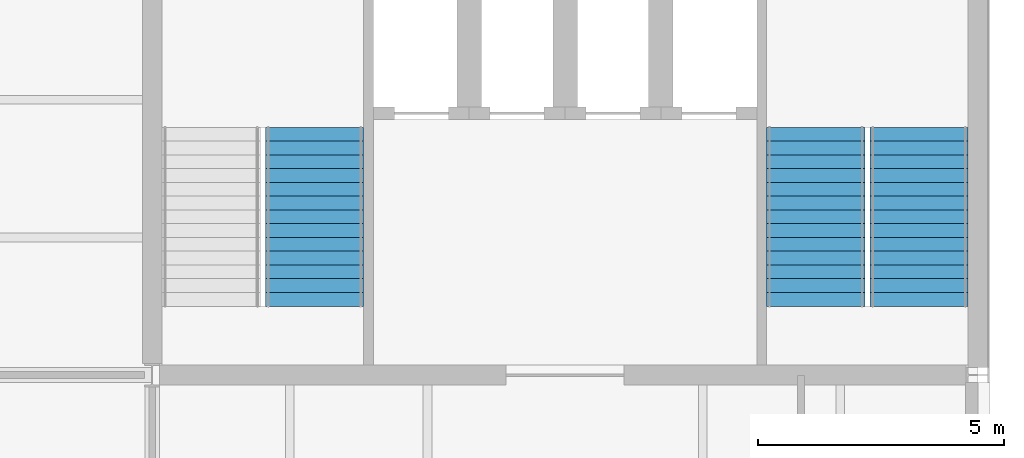
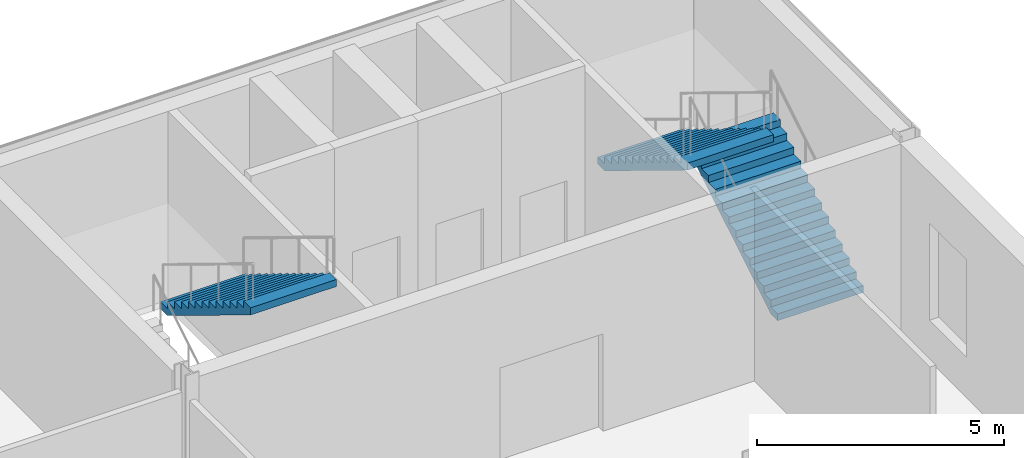
# One storey, part 36 of 57: 3 stair flights, 2 elements without a shape of their own.
"""IFC4 building model written with IfcOpenShell, lengths in metres."""

from ifc_helpers import new_model, si_unit, direction, frame, origin, place, context, subcontext, project, spatial, polyline, outline, extrude, material, type_object, element, aggregate, save


model = new_model("IFC4")

# Units and contexts
model_context = context("Model", 3, precision=1e-05, world=origin(), true_north=direction((0.0, 1.0)))
body_context = subcontext(model_context, "Body", "Model", "MODEL_VIEW")
ifc_project = project(units=[si_unit("LENGTHUNIT", "METRE"), si_unit("AREAUNIT", "SQUARE_METRE"), si_unit("VOLUMEUNIT", "CUBIC_METRE"), si_unit("PLANEANGLEUNIT", "RADIAN"), si_unit("MASSUNIT", "GRAM", prefix="KILO")], contexts=[model_context])

# Site, building, storey
site_placement = place(None, origin())
site = spatial("IfcSite", under=ifc_project, at=site_placement, CompositionType="ELEMENT")
building_placement = place(site_placement, origin())
building = spatial("IfcBuilding", under=site, at=building_placement, Name="Galleria Vessillo Department Store", CompositionType="ELEMENT")
storey_placement = place(building_placement, frame((0.0, 0.0, 21.0)))
storey = spatial("IfcBuildingStorey", under=building, at=storey_placement, Name="L04", CompositionType="ELEMENT", Elevation=21.0)

# Stair, stair flight
ifc_material_1 = material(Name="Concrete C32/40", Category="concrete")
stair_type = type_object("IfcStairType", Name="Half-turn escape stair 2000 mm, 28 risers of 171 mm", PredefinedType="HALF_TURN_STAIR", material=ifc_material_1)
stair_1_placement = place(storey_placement, origin())
stair_1 = element("IfcStair", 1, at=stair_1_placement, inside=storey, type_object=stair_type, Name="Stair ST8 L04", PredefinedType="HALF_TURN_STAIR")
ifc_material_2 = material(Name="Concrete C32/40", Category="concrete")
stair_flight_type = type_object("IfcStairFlightType", Name="Stair flight 2000 mm, 14 risers of 171 mm", PredefinedType="STRAIGHT", material=ifc_material_2)
stair_flight_1_placement = place(storey_placement, frame((104.10009765625, 59.639404296875, 2.39990234375), z_axis=(0.0, 0.0, 1.0), x_axis=(0.0, -1.0, 0.0)))
stair_flight_1 = element("IfcStairFlight", 2, at=stair_flight_1_placement, type_object=stair_flight_type, Name="ST8 flight 2", NumberOfRisers=14, NumberOfTreads=13, PredefinedType="STRAIGHT", RiserHeight=0.171428571, TreadLength=0.28, context=body_context, shape_type="SweptSolid", body=[
    extrude(outline(polyline([(0.0, 0.0), (0.0, 0.17138671875), (0.280029296875, 0.17138671875), (0.280029296875, 0.3427734375), (0.56005859375, 0.3427734375), (0.56005859375, 0.514404296875), (0.840087890625, 0.514404296875), (0.840087890625, 0.685791015625), (1.1201171875, 0.685791015625), (1.1201171875, 0.857177734375), (1.39990234375, 0.857177734375), (1.39990234375, 1.028564453125), (1.679931640625, 1.028564453125), (1.679931640625, 1.199951171875), (1.9599609375, 1.199951171875), (1.9599609375, 1.371337890625), (2.239990234375, 1.371337890625), (2.239990234375, 1.54296875), (2.52001953125, 1.54296875), (2.52001953125, 1.71435546875), (2.800048828125, 1.71435546875), (2.800048828125, 1.8857421875), (3.080078125, 1.8857421875), (3.080078125, 2.05712890625), (3.360107421875, 2.05712890625), (3.360107421875, 2.228515625), (3.639892578125, 2.228515625), (3.639892578125, 2.39990234375), (3.639892578125, 2.052734375), (0.287109375, 0.0), (0.0, 0.0)])), frame((0.0, 1.0, 0.0), z_axis=(0.0, -1.0, 0.0), x_axis=(1.0, 0.0, 0.0)), (0.0, 0.0, 1.0), 2.0),
])
aggregate(stair_1, [stair_flight_1])

# Stair, stair flights
stair_2_placement = place(storey_placement, origin())
stair_2 = element("IfcStair", 3, at=stair_2_placement, inside=storey, type_object=stair_type, Name="Stair ST9 L04", PredefinedType="HALF_TURN_STAIR")
stair_flight_2_placement = place(storey_placement, frame((116.39990234375, 55.99951171875, 0.0), z_axis=(0.0, 0.0, 1.0), x_axis=(0.0, 1.0, 0.0)))
stair_flight_2 = element("IfcStairFlight", 4, at=stair_flight_2_placement, type_object=stair_flight_type, Name="ST9 flight 1", NumberOfRisers=14, NumberOfTreads=13, PredefinedType="STRAIGHT", RiserHeight=0.171428571, TreadLength=0.28, context=body_context, shape_type="SweptSolid", body=[
    extrude(outline(polyline([(0.0, 0.0), (0.0, 0.17138671875), (0.280029296875, 0.17138671875), (0.280029296875, 0.3427734375), (0.56005859375, 0.3427734375), (0.56005859375, 0.514404296875), (0.840087890625, 0.514404296875), (0.840087890625, 0.685791015625), (1.1201171875, 0.685791015625), (1.1201171875, 0.857177734375), (1.39990234375, 0.857177734375), (1.39990234375, 1.028564453125), (1.679931640625, 1.028564453125), (1.679931640625, 1.199951171875), (1.9599609375, 1.199951171875), (1.9599609375, 1.371337890625), (2.239990234375, 1.371337890625), (2.239990234375, 1.54296875), (2.52001953125, 1.54296875), (2.52001953125, 1.71435546875), (2.800048828125, 1.71435546875), (2.800048828125, 1.8857421875), (3.080078125, 1.8857421875), (3.080078125, 2.05712890625), (3.360107421875, 2.05712890625), (3.360107421875, 2.228515625), (3.639892578125, 2.228515625), (3.639892578125, 2.39990234375), (3.639892578125, 2.052734375), (0.287109375, 0.0), (0.0, 0.0)])), frame((0.0, 1.0, 0.0), z_axis=(0.0, -1.0, 0.0), x_axis=(1.0, 0.0, 0.0)), (0.0, 0.0, 1.0), 2.0),
])
stair_flight_3_placement = place(storey_placement, frame((114.300048828125, 59.639404296875, 2.39990234375), z_axis=(0.0, 0.0, 1.0), x_axis=(0.0, -1.0, 0.0)))
stair_flight_3 = element("IfcStairFlight", 5, at=stair_flight_3_placement, type_object=stair_flight_type, Name="ST9 flight 2", NumberOfRisers=14, NumberOfTreads=13, PredefinedType="STRAIGHT", RiserHeight=0.171428571, TreadLength=0.28, context=body_context, shape_type="SweptSolid", body=[
    extrude(outline(polyline([(0.0, 0.0), (0.0, 0.17138671875), (0.280029296875, 0.17138671875), (0.280029296875, 0.3427734375), (0.56005859375, 0.3427734375), (0.56005859375, 0.514404296875), (0.840087890625, 0.514404296875), (0.840087890625, 0.685791015625), (1.1201171875, 0.685791015625), (1.1201171875, 0.857177734375), (1.39990234375, 0.857177734375), (1.39990234375, 1.028564453125), (1.679931640625, 1.028564453125), (1.679931640625, 1.199951171875), (1.9599609375, 1.199951171875), (1.9599609375, 1.371337890625), (2.239990234375, 1.371337890625), (2.239990234375, 1.54296875), (2.52001953125, 1.54296875), (2.52001953125, 1.71435546875), (2.800048828125, 1.71435546875), (2.800048828125, 1.8857421875), (3.080078125, 1.8857421875), (3.080078125, 2.05712890625), (3.360107421875, 2.05712890625), (3.360107421875, 2.228515625), (3.639892578125, 2.228515625), (3.639892578125, 2.39990234375), (3.639892578125, 2.052734375), (0.287109375, 0.0), (0.0, 0.0)])), frame((0.0, 1.0, 0.0), z_axis=(0.0, -1.0, 0.0), x_axis=(1.0, 0.0, 0.0)), (0.0, 0.0, 1.0), 2.0),
])
aggregate(stair_2, [stair_flight_2, stair_flight_3])

save(model, "model.ifc")
